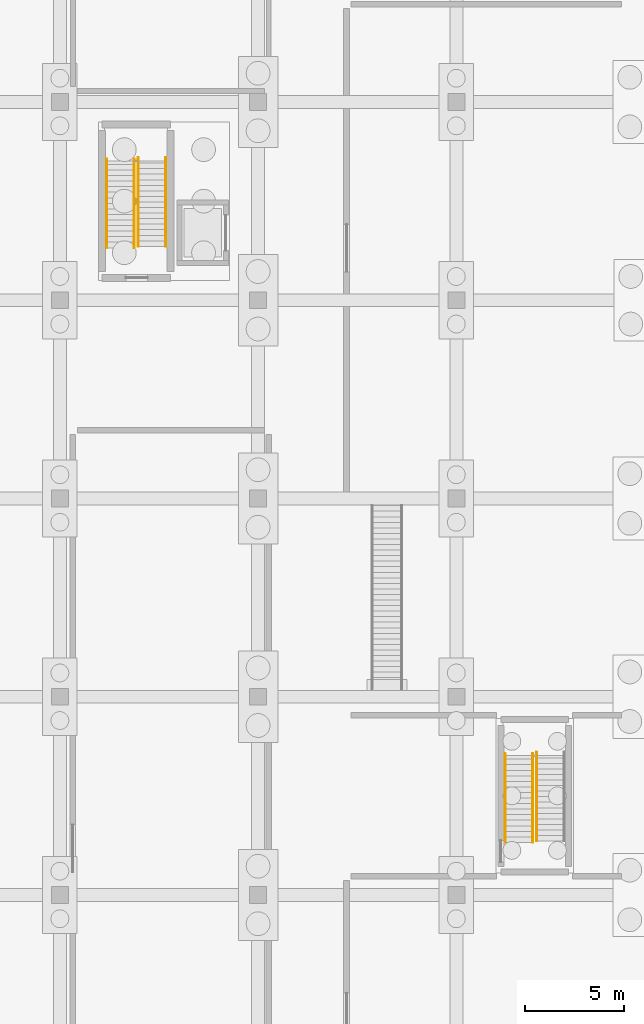
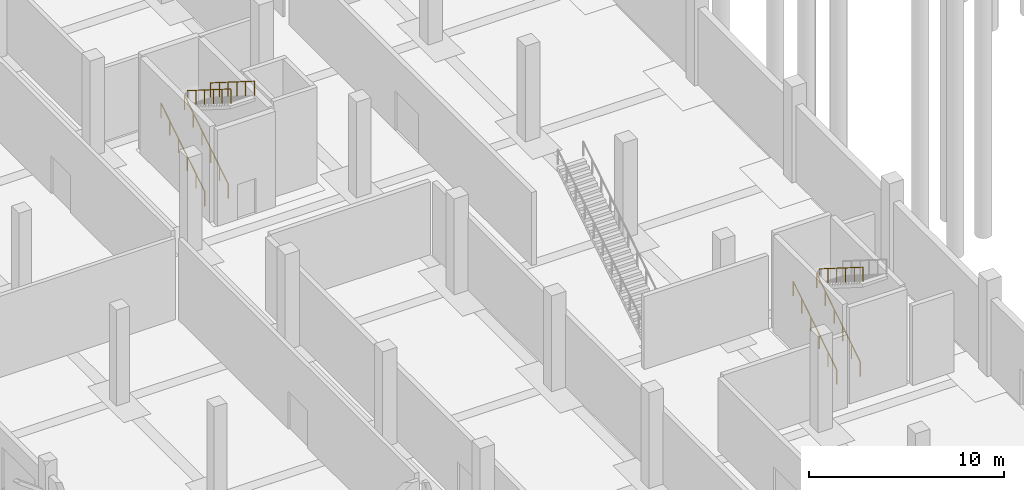
# One storey, part 114 of 140: 7 railings.
"""IFC4 building model written with IfcOpenShell, lengths in metres."""

from ifc_helpers import new_model, si_unit, direction, frame, origin, origin_2d, place, context, subcontext, project, spatial, circle, extrude, material, layer, layer_set, type_object, element, save


model = new_model("IFC4")

# Units and contexts
model_context = context("Model", 3, precision=1e-05, world=origin(), true_north=direction((0.0, 1.0)))
body_context = subcontext(model_context, "Body", "Model", "MODEL_VIEW")
ifc_project = project(units=[si_unit("LENGTHUNIT", "METRE"), si_unit("AREAUNIT", "SQUARE_METRE"), si_unit("VOLUMEUNIT", "CUBIC_METRE"), si_unit("PLANEANGLEUNIT", "RADIAN"), si_unit("MASSUNIT", "GRAM", prefix="KILO")], contexts=[model_context])

# Site, building, storey
site_placement = place(None, origin())
site = spatial("IfcSite", under=ifc_project, at=site_placement, CompositionType="ELEMENT")
building_placement = place(site_placement, origin())
building = spatial("IfcBuilding", under=site, at=building_placement, Name="Corvandel Quay Wholesale Market", CompositionType="ELEMENT")
storey_placement = place(building_placement, origin())
storey = spatial("IfcBuildingStorey", under=building, at=storey_placement, Name="L00", CompositionType="ELEMENT", Elevation=0.0)

# Railings
ifc_material = material(Name="Brushed austenitic stainless steel Grade 316", Category="steel")
ifc_layer = layer(ifc_material, 0.048095703125)
ifc_layer_set = layer_set([ifc_layer], Name="Brushed austenitic stainless steel Grade 316")
railing_type = type_object("IfcRailingType", Name="Tubular Stainless Stair Handrail HR01 915mm", PredefinedType="HANDRAIL", material=ifc_layer_set)
for number, where, name in (
    (1, (22.360107421875, 92.64990234375, 0.176513671875), "Stair Handrail 0108"),
    (2, (23.75, 92.64990234375, 0.176513671875), "Stair Handrail 0109"),
):
    element("IfcRailing", number, at=place(storey_placement, frame(where)), inside=storey, type_object=railing_type, Name=name, PredefinedType="HANDRAIL", context=body_context, shape_type="SweptSolid", body=[
        extrude(circle(Radius=0.02392578125, at=origin_2d()), frame((0.0, 0.0, 0.89111328125), z_axis=(0.0, 0.845997938375, 0.533186166611), x_axis=(-1.0, 0.0, 0.0)), (0.0, 0.0, 1.0), 5.29541015625),
        extrude(circle(Radius=0.02099609375, at=origin_2d()), origin(), (0.0, 0.0, 1.0), 0.866943359375),
        extrude(circle(Radius=0.02099609375, at=origin_2d()), frame((0.0, 0.89599609375, 0.564697265625)), (0.0, 0.0, 1.0), 0.866943359375),
        extrude(circle(Radius=0.02099609375, at=origin_2d()), frame((0.0, 1.7919921875, 1.12939453125)), (0.0, 0.0, 1.0), 0.866943359375),
        extrude(circle(Radius=0.02099609375, at=origin_2d()), frame((0.0, 2.68798828125, 1.694091796875)), (0.0, 0.0, 1.0), 0.866943359375),
        extrude(circle(Radius=0.02099609375, at=origin_2d()), frame((0.0, 3.583984375, 2.2587890625)), (0.0, 0.0, 1.0), 0.866943359375),
        extrude(circle(Radius=0.02099609375, at=origin_2d()), frame((0.0, 4.47998046875, 2.823486328125)), (0.0, 0.0, 1.0), 0.866943359375),
    ])
for number, where, name in (
    (3, (23.949951171875, 97.199951171875, 3.176513671875), "Stair Handrail 0110"),
    (4, (25.340087890625, 97.199951171875, 3.176513671875), "Stair Handrail 0111"),
):
    element("IfcRailing", number, at=place(storey_placement, frame(where)), inside=storey, type_object=railing_type, Name=name, PredefinedType="HANDRAIL", context=body_context, shape_type="SweptSolid", body=[
        extrude(circle(Radius=0.02392578125, at=origin_2d()), frame((0.0, 0.0, 0.89111328125), z_axis=(0.0, -0.845997938375, 0.533186166611), x_axis=(1.0, 0.0, 0.0)), (0.0, 0.0, 1.0), 5.29541015625),
        extrude(circle(Radius=0.02099609375, at=origin_2d()), origin(), (0.0, 0.0, 1.0), 0.866943359375),
        extrude(circle(Radius=0.02099609375, at=origin_2d()), frame((0.0, -0.89599609375, 0.564697265625)), (0.0, 0.0, 1.0), 0.866943359375),
        extrude(circle(Radius=0.02099609375, at=origin_2d()), frame((0.0, -1.7919921875, 1.12939453125)), (0.0, 0.0, 1.0), 0.866943359375),
        extrude(circle(Radius=0.02099609375, at=origin_2d()), frame((0.0, -2.68798828125, 1.694091796875)), (0.0, 0.0, 1.0), 0.866943359375),
        extrude(circle(Radius=0.02099609375, at=origin_2d()), frame((0.0, -3.583984375, 2.2587890625)), (0.0, 0.0, 1.0), 0.866943359375),
        extrude(circle(Radius=0.02099609375, at=origin_2d()), frame((0.0, -4.47998046875, 2.823486328125)), (0.0, 0.0, 1.0), 0.866943359375),
    ])
for number, where, name in (
    (5, (42.4599609375, 62.64990234375, 0.176513671875), "Stair Handrail 0119"),
    (6, (43.85009765625, 62.64990234375, 0.176513671875), "Stair Handrail 0120"),
):
    element("IfcRailing", number, at=place(storey_placement, frame(where)), inside=storey, type_object=railing_type, Name=name, PredefinedType="HANDRAIL", context=body_context, shape_type="SweptSolid", body=[
        extrude(circle(Radius=0.02392578125, at=origin_2d()), frame((0.0, 0.0, 0.89111328125), z_axis=(0.0, 0.845997938375, 0.533186166611), x_axis=(-1.0, 0.0, 0.0)), (0.0, 0.0, 1.0), 5.29541015625),
        extrude(circle(Radius=0.02099609375, at=origin_2d()), origin(), (0.0, 0.0, 1.0), 0.866943359375),
        extrude(circle(Radius=0.02099609375, at=origin_2d()), frame((0.0, 0.89599609375, 0.564697265625)), (0.0, 0.0, 1.0), 0.866943359375),
        extrude(circle(Radius=0.02099609375, at=origin_2d()), frame((0.0, 1.7919921875, 1.12939453125)), (0.0, 0.0, 1.0), 0.866943359375),
        extrude(circle(Radius=0.02099609375, at=origin_2d()), frame((0.0, 2.68798828125, 1.694091796875)), (0.0, 0.0, 1.0), 0.866943359375),
        extrude(circle(Radius=0.02099609375, at=origin_2d()), frame((0.0, 3.583984375, 2.2587890625)), (0.0, 0.0, 1.0), 0.866943359375),
        extrude(circle(Radius=0.02099609375, at=origin_2d()), frame((0.0, 4.47998046875, 2.823486328125)), (0.0, 0.0, 1.0), 0.866943359375),
    ])
railing_placement = place(storey_placement, frame((44.050048828125, 67.199951171875, 3.176513671875)))
element("IfcRailing", 7, at=railing_placement, inside=storey, type_object=railing_type, Name="Stair Handrail 0121", PredefinedType="HANDRAIL", context=body_context, shape_type="SweptSolid", body=[
    extrude(circle(Radius=0.02392578125, at=origin_2d()), frame((0.0, 0.0, 0.89111328125), z_axis=(0.0, -0.845997938375, 0.533186166611), x_axis=(1.0, 0.0, 0.0)), (0.0, 0.0, 1.0), 5.29541015625),
    extrude(circle(Radius=0.02099609375, at=origin_2d()), origin(), (0.0, 0.0, 1.0), 0.866943359375),
    extrude(circle(Radius=0.02099609375, at=origin_2d()), frame((0.0, -0.89599609375, 0.564697265625)), (0.0, 0.0, 1.0), 0.866943359375),
    extrude(circle(Radius=0.02099609375, at=origin_2d()), frame((0.0, -1.7919921875, 1.12939453125)), (0.0, 0.0, 1.0), 0.866943359375),
    extrude(circle(Radius=0.02099609375, at=origin_2d()), frame((0.0, -2.68798828125, 1.694091796875)), (0.0, 0.0, 1.0), 0.866943359375),
    extrude(circle(Radius=0.02099609375, at=origin_2d()), frame((0.0, -3.583984375, 2.2587890625)), (0.0, 0.0, 1.0), 0.866943359375),
    extrude(circle(Radius=0.02099609375, at=origin_2d()), frame((0.0, -4.47998046875, 2.823486328125)), (0.0, 0.0, 1.0), 0.866943359375),
])

save(model, "model.ifc")
